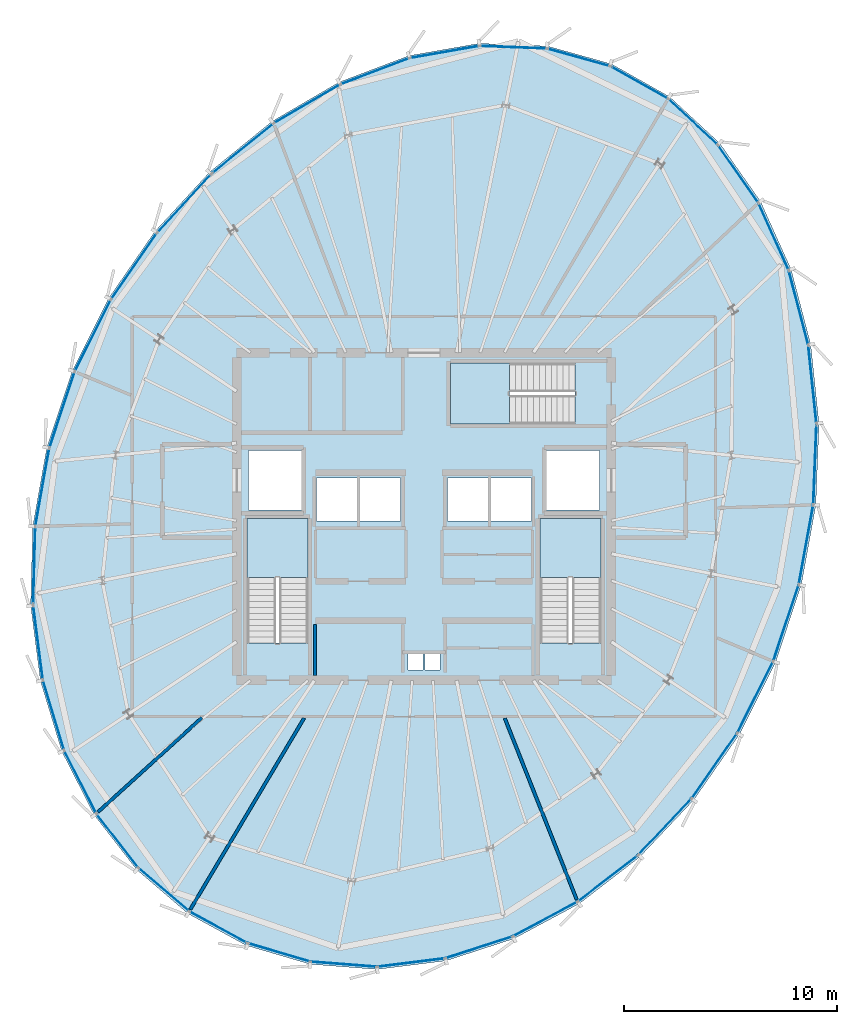
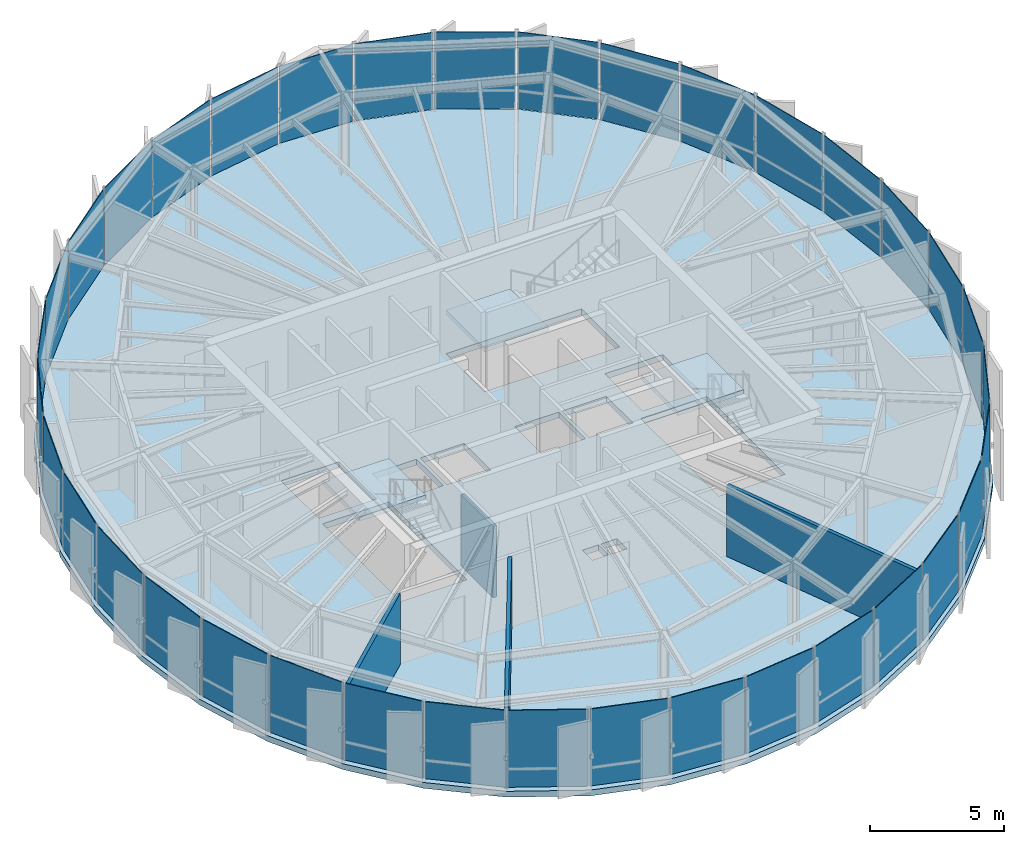
# One storey, part 19 of 25: 36 plates, 4 slabs, 4 walls, 9 elements without a shape of their own.
"""IFC4 building model written with IfcOpenShell, lengths in metres."""

from ifc_helpers import new_model, si_unit, direction, frame, frame_2d, origin, origin_2d, place, context, subcontext, project, spatial, polyline, rectangle, outline, extrude, source, transform, mapped, material, layer, layer_set, type_object, element, aggregate, save


model = new_model("IFC4")

# Units and contexts
model_context = context("Model", 3, precision=1e-05, world=origin(), true_north=direction((0.0, 1.0)))
body_context = subcontext(model_context, "Body", "Model", "MODEL_VIEW")
ifc_project = project(units=[si_unit("LENGTHUNIT", "METRE"), si_unit("AREAUNIT", "SQUARE_METRE"), si_unit("VOLUMEUNIT", "CUBIC_METRE"), si_unit("PLANEANGLEUNIT", "RADIAN"), si_unit("MASSUNIT", "GRAM", prefix="KILO"), si_unit("THERMODYNAMICTEMPERATUREUNIT", "KELVIN")], contexts=[model_context])

# Site, building, storey
site_placement = place(None, origin())
site = spatial("IfcSite", under=ifc_project, at=site_placement, CompositionType="ELEMENT")
building_placement = place(site_placement, origin())
building = spatial("IfcBuilding", under=site, at=building_placement, Name="Kethvar Cultural Tower", CompositionType="ELEMENT")
storey_placement = place(building_placement, frame((0.0, 0.0, 304.300048828125)))
storey = spatial("IfcBuildingStorey", under=building, at=storey_placement, Name="L81", CompositionType="ELEMENT", Elevation=304.300048828125)

# Slab
ifc_material_1 = material(Name="Concrete C45/55", Category="concrete")
ifc_layer_1 = layer(ifc_material_1, 0.264892578125, Name="Concrete C45/55", Category="concrete")
ifc_layer_set_1 = layer_set([ifc_layer_1], Name="Concrete C45/55 (265 mm)")
slab_type_1 = type_object("IfcSlabType", Name="SL-CRN-265", PredefinedType="FLOOR", material=ifc_layer_set_1)
slab_1_placement = place(storey_placement, frame((0.0, 0.0, -0.26513671875)))
element("IfcSlab", 1, at=slab_1_placement, inside=storey, type_object=slab_type_1, Name="L81 Structural Floor Slab", PredefinedType="FLOOR", context=body_context, shape_type="SweptSolid", body=[
    extrude(outline(polyline([(55.606689453125, 49.06103515625), (52.59375, 49.9013671875), (49.38671875, 50.0263671875), (46.08935546875, 49.44775390625), (42.811279296875, 48.20556640625), (39.662353515625, 46.36279296875), (36.747802734375, 43.998291015625), (34.162353515625, 41.198486328125), (31.98583984375, 38.05224609375), (30.279541015625, 34.64306640625), (29.0810546875, 31.03955078125), (28.4208984375, 27.337890625), (28.3193359375, 23.64990234375), (28.779052734375, 20.08837890625), (29.78662109375, 16.760986328125), (31.310791015625, 13.76904296875), (33.305908203125, 11.20361328125), (35.710693359375, 9.14208984375), (38.45263671875, 7.647705078125), (41.4482421875, 6.765625), (44.606201171875, 6.522705078125), (47.831298828125, 6.926025390625), (51.024658203125, 7.9638671875), (54.089599609375, 9.604248046875), (56.933349609375, 11.797607421875), (59.468994140625, 14.477294921875), (61.619873046875, 17.5615234375), (63.3203125, 20.95703125), (64.524658203125, 24.57421875), (65.21044921875, 28.338134765625), (65.36181640625, 32.14599609375), (64.972900390625, 35.87890625), (64.04931640625, 39.408447265625), (62.609619140625, 42.604736328125), (60.687255859375, 45.345458984375), (58.331298828125, 47.52490234375), (55.606689453125, 49.06103515625)]), holes=[polyline([(38.489990234375, 21.85009765625), (38.489990234375, 27.699951171875), (41.35009765625, 27.699951171875), (41.35009765625, 21.85009765625), (38.489990234375, 21.85009765625)]), polyline([(52.25, 21.85009765625), (52.25, 27.699951171875), (55.110107421875, 27.699951171875), (55.110107421875, 21.85009765625), (52.25, 21.85009765625)]), polyline([(53.89990234375, 32.14990234375), (48.050048828125, 32.14990234375), (48.050048828125, 35.010009765625), (53.89990234375, 35.010009765625), (53.89990234375, 32.14990234375)]), polyline([(41.75, 29.60009765625), (43.64990234375, 29.60009765625), (43.64990234375, 27.60009765625), (41.75, 27.60009765625), (41.75, 29.60009765625)]), polyline([(43.800048828125, 29.60009765625), (45.699951171875, 29.60009765625), (45.699951171875, 27.60009765625), (43.800048828125, 27.60009765625), (43.800048828125, 29.60009765625)]), polyline([(47.89990234375, 29.60009765625), (49.800048828125, 29.60009765625), (49.800048828125, 27.60009765625), (47.89990234375, 27.60009765625), (47.89990234375, 29.60009765625)]), polyline([(49.949951171875, 29.60009765625), (51.85009765625, 29.60009765625), (51.85009765625, 27.60009765625), (49.949951171875, 27.60009765625), (49.949951171875, 29.60009765625)]), polyline([(38.550048828125, 30.89990234375), (41.050048828125, 30.89990234375), (41.050048828125, 28.10009765625), (38.550048828125, 28.10009765625), (38.550048828125, 30.89990234375)]), polyline([(52.550048828125, 30.89990234375), (55.050048828125, 30.89990234375), (55.050048828125, 28.10009765625), (52.550048828125, 28.10009765625), (52.550048828125, 30.89990234375)]), polyline([(46.050048828125, 21.35009765625), (46.75, 21.35009765625), (46.75, 20.60009765625), (46.050048828125, 20.60009765625), (46.050048828125, 21.35009765625)]), polyline([(46.85009765625, 21.35009765625), (47.550048828125, 21.35009765625), (47.550048828125, 20.60009765625), (46.85009765625, 20.60009765625), (46.85009765625, 21.35009765625)])]), origin(), (0.0, 0.0, 1.0), 0.26513671875),
])

# Stair, slab
ifc_material_2 = material(Name="Concrete C40/50", Category="concrete")
stair_type = type_object("IfcStairType", Name="ST-DOGLEG-135", PredefinedType="HALF_TURN_STAIR", material=ifc_material_2)
stair_1_placement = place(storey_placement, origin())
stair_1 = element("IfcStair", 2, at=stair_1_placement, inside=storey, type_object=stair_type, Name="L81 Core Exit Stair 1", PredefinedType="HALF_TURN_STAIR")
ifc_layer_2 = layer(ifc_material_2, 0.199951171875, Name="Concrete C40/50", Category="concrete")
ifc_layer_set_2 = layer_set([ifc_layer_2], Name="Concrete C40/50 (200 mm)")
slab_type_2 = type_object("IfcSlabType", Name="SL-STAIR-LANDING-200", PredefinedType="LANDING", material=ifc_layer_set_2)
slab_2_placement = place(storey_placement, frame((0.0, 0.0, 1.800048828125)))
slab_2 = element("IfcSlab", 3, at=slab_2_placement, type_object=slab_type_2, Name="ST-01 landing 1", PredefinedType="LANDING", context=body_context, shape_type="SweptSolid", body=[
    extrude(outline(polyline([(41.35009765625, 24.929931640625), (41.35009765625, 27.699951171875), (38.489990234375, 27.699951171875), (38.489990234375, 24.929931640625), (41.35009765625, 24.929931640625)])), origin(), (0.0, 0.0, 1.0), 0.199951171875),
])
aggregate(stair_1, [slab_2])

stair_2_placement = place(storey_placement, origin())
stair_2 = element("IfcStair", 4, at=stair_2_placement, inside=storey, type_object=stair_type, Name="L81 Core Exit Stair 2", PredefinedType="HALF_TURN_STAIR")
slab_3_placement = place(storey_placement, frame((0.0, 0.0, 1.800048828125)))
slab_3 = element("IfcSlab", 5, at=slab_3_placement, type_object=slab_type_2, Name="ST-02 landing 1", PredefinedType="LANDING", context=body_context, shape_type="SweptSolid", body=[
    extrude(outline(polyline([(55.110107421875, 24.929931640625), (55.110107421875, 27.699951171875), (52.25, 27.699951171875), (52.25, 24.929931640625), (55.110107421875, 24.929931640625)])), origin(), (0.0, 0.0, 1.0), 0.199951171875),
])
aggregate(stair_2, [slab_3])

stair_3_placement = place(storey_placement, origin())
stair_3 = element("IfcStair", 6, at=stair_3_placement, inside=storey, type_object=stair_type, Name="L81 Core Exit Stair 3", PredefinedType="HALF_TURN_STAIR")
slab_4_placement = place(storey_placement, frame((0.0, 0.0, 1.800048828125)))
slab_4 = element("IfcSlab", 7, at=slab_4_placement, type_object=slab_type_2, Name="ST-03 landing 1", PredefinedType="LANDING", context=body_context, shape_type="SweptSolid", body=[
    extrude(outline(polyline([(50.820068359375, 35.010009765625), (48.050048828125, 35.010009765625), (48.050048828125, 32.14990234375), (50.820068359375, 32.14990234375), (50.820068359375, 35.010009765625)])), origin(), (0.0, 0.0, 1.0), 0.199951171875),
])
aggregate(stair_3, [slab_4])

# Curtain wall, plate
ifc_material_3 = material(Name="Aluminium 6063-T6", Category="aluminium")
ifc_layer_3 = layer(ifc_material_3, 0.179931640625, Name="Aluminium 6063-T6", Category="aluminium")
ifc_layer_set_3 = layer_set([ifc_layer_3], Name="Aluminium 6063-T6 (180 mm)")
curtain_wall_type = type_object("IfcCurtainWallType", Name="CW-SYS-06-CROWN", PredefinedType="NOTDEFINED", material=ifc_layer_set_3)
curtain_wall_1_placement = place(storey_placement, origin())
curtain_wall_1 = element("IfcCurtainWall", 8, at=curtain_wall_1_placement, inside=storey, type_object=curtain_wall_type, Name="L81 Curtain Wall Run 01", PredefinedType="NOTDEFINED")
ifc_material_4 = material(Name="Insulated Low-E Solar Glass", Category="glass")
ifc_layer_4 = layer(ifc_material_4, 0.033935546875, Name="Insulated Low-E Solar Glass", Category="glass")
ifc_layer_set_4 = layer_set([ifc_layer_4], Name="Insulated Low-E Solar Glass (34 mm)")
plate_type = type_object("IfcPlateType", Name="CW-SYS-06-CROWN-PNL", PredefinedType="CURTAIN_PANEL", material=ifc_layer_set_4)
shared_shape_1 = source(origin(), body_context, "Body", "SweptSolid", [
    extrude(rectangle(XDim=3.0341796875, YDim=0.033935546875, at=origin_2d()), origin(), (0.0, 0.0, 1.0), 3.514892578125),
])
plate_1_placement = place(storey_placement, frame((54.06787109375, 49.365478515625, 0.10986328125), z_axis=(0.0, 0.0, 1.0), x_axis=(-0.963228247552, 0.268684467577, 0.0)))
plate_1 = element("IfcPlate", 9, at=plate_1_placement, type_object=plate_type, Name="CW-L81-R01 Vision Glazing Panel 1", PredefinedType="CURTAIN_PANEL", context=body_context, shape_type="MappedRepresentation", body=[
    mapped(shared_shape_1, transform((0.0, 0.0, 0.0), scale=1.0)),
])

curtain_wall_2_placement = place(storey_placement, origin())
curtain_wall_2 = element("IfcCurtainWall", 10, at=curtain_wall_2_placement, inside=storey, type_object=curtain_wall_type, Name="L81 Curtain Wall Run 06", PredefinedType="NOTDEFINED")
plate_2_placement = place(storey_placement, frame((56.909912109375, 48.1884765625, 0.10986328125), z_axis=(0.0, 0.0, 1.0), x_axis=(-0.871093834698, 0.491116616651, 0.0)))
plate_2 = element("IfcPlate", 11, at=plate_2_placement, type_object=plate_type, Name="CW-L81-R06 Vision Glazing Panel 6", PredefinedType="CURTAIN_PANEL", context=body_context, shape_type="MappedRepresentation", body=[
    mapped(shared_shape_1, transform((0.0, 0.0, 0.0), scale=1.0)),
])

# Plate
shared_shape_2 = source(origin(), body_context, "Body", "SweptSolid", [
    extrude(rectangle(XDim=3.115966796875, YDim=0.033935546875, at=origin_2d()), origin(), (0.0, 0.0, 1.0), 3.514892578125),
])
plate_3_placement = place(storey_placement, frame((50.985595703125, 49.843994140625, 0.10986328125), z_axis=(0.0, 0.0, 1.0), x_axis=(-0.999241320765, 0.038945896767, 0.0)))
plate_3 = element("IfcPlate", 12, at=plate_3_placement, type_object=plate_type, Name="CW-L81-R01 Vision Glazing Panel 2", PredefinedType="CURTAIN_PANEL", context=body_context, shape_type="MappedRepresentation", body=[
    mapped(shared_shape_2, transform((0.0, 0.0, 0.0), scale=1.0)),
])

plate_4_placement = place(storey_placement, frame((59.427734375, 46.34716796875, 0.10986328125), z_axis=(0.0, 0.0, 1.0), x_axis=(-0.734097370213, 0.679044218771, 0.0)))
plate_4 = element("IfcPlate", 13, at=plate_4_placement, type_object=plate_type, Name="CW-L81-R06 Vision Glazing Panel 5", PredefinedType="CURTAIN_PANEL", context=body_context, shape_type="MappedRepresentation", body=[
    mapped(shared_shape_2, transform((0.0, 0.0, 0.0), scale=1.0)),
])

shared_shape_3 = source(origin(), body_context, "Body", "SweptSolid", [
    extrude(rectangle(XDim=3.254150390625, YDim=0.033935546875, at=origin_2d()), origin(), (0.0, 0.0, 1.0), 3.514892578125),
])
plate_5_placement = place(storey_placement, frame((47.7587890625, 49.618896484375, 0.10986328125), z_axis=(0.0, 0.0, 1.0), x_axis=(-0.984946849301, -0.172857467449, 0.0)))
plate_5 = element("IfcPlate", 14, at=plate_5_placement, type_object=plate_type, Name="CW-L81-R01 Vision Glazing Panel 3", PredefinedType="CURTAIN_PANEL", context=body_context, shape_type="MappedRepresentation", body=[
    mapped(shared_shape_3, transform((0.0, 0.0, 0.0), scale=1.0)),
])

plate_6_placement = place(storey_placement, frame((61.55029296875, 43.90625, 0.10986328125), z_axis=(0.0, 0.0, 1.0), x_axis=(-0.574233908837, 0.818691283661, 0.0)))
plate_6 = element("IfcPlate", 15, at=plate_6_placement, type_object=plate_type, Name="CW-L81-R06 Vision Glazing Panel 4", PredefinedType="CURTAIN_PANEL", context=body_context, shape_type="MappedRepresentation", body=[
    mapped(shared_shape_3, transform((0.0, 0.0, 0.0), scale=1.0)),
])

shared_shape_4 = source(origin(), body_context, "Body", "SweptSolid", [
    extrude(rectangle(XDim=3.412109375, YDim=0.033935546875, at=origin_2d()), origin(), (0.0, 0.0, 1.0), 3.514892578125),
])
plate_7_placement = place(storey_placement, frame((44.492919921875, 48.71435546875, 0.10986328125), z_axis=(0.0, 0.0, 1.0), x_axis=(-0.935116657769, -0.354340001077, 0.0)))
plate_7 = element("IfcPlate", 16, at=plate_7_placement, type_object=plate_type, Name="CW-L81-R01 Vision Glazing Panel 4", PredefinedType="CURTAIN_PANEL", context=body_context, shape_type="MappedRepresentation", body=[
    mapped(shared_shape_4, transform((0.0, 0.0, 0.0), scale=1.0)),
])

shared_shape_5 = source(origin(), body_context, "Body", "SweptSolid", [
    extrude(rectangle(XDim=3.5546875, YDim=0.033935546875, at=origin_2d()), origin(), (0.0, 0.0, 1.0), 3.514892578125),
])
plate_8_placement = place(storey_placement, frame((41.29736328125, 47.1806640625, 0.10986328125), z_axis=(0.0, 0.0, 1.0), x_axis=(-0.863087191148, -0.505054947977, 0.0)))
plate_8 = element("IfcPlate", 17, at=plate_8_placement, type_object=plate_type, Name="CW-L81-R01 Vision Glazing Panel 5", PredefinedType="CURTAIN_PANEL", context=body_context, shape_type="MappedRepresentation", body=[
    mapped(shared_shape_5, transform((0.0, 0.0, 0.0), scale=1.0)),
])

plate_9_placement = place(storey_placement, frame((64.395263671875, 37.61328125, 0.10986328125), z_axis=(0.0, 0.0, 1.0), x_axis=(-0.253150142282, 0.967427002653, 0.0)))
plate_9 = element("IfcPlate", 18, at=plate_9_placement, type_object=plate_type, Name="CW-L81-R06 Vision Glazing Panel 2", PredefinedType="CURTAIN_PANEL", context=body_context, shape_type="MappedRepresentation", body=[
    mapped(shared_shape_5, transform((0.0, 0.0, 0.0), scale=1.0)),
])

shared_shape_6 = source(origin(), body_context, "Body", "SweptSolid", [
    extrude(rectangle(XDim=3.65966796875, YDim=0.033935546875, at=origin_2d()), origin(), (0.0, 0.0, 1.0), 3.514892578125),
])
plate_10_placement = place(storey_placement, frame((38.28076171875, 45.08740234375, 0.10986328125), z_axis=(0.0, 0.0, 1.0), x_axis=(-0.776574488404, -0.630025447073, 0.0)))
plate_10 = element("IfcPlate", 19, at=plate_10_placement, type_object=plate_type, Name="CW-L81-R01 Vision Glazing Panel 6", PredefinedType="CURTAIN_PANEL", context=body_context, shape_type="MappedRepresentation", body=[
    mapped(shared_shape_6, transform((0.0, 0.0, 0.0), scale=1.0)),
])

aggregate(curtain_wall_1, [plate_1, plate_3, plate_5, plate_7, plate_8, plate_10])

# Curtain wall, plate
curtain_wall_3_placement = place(storey_placement, origin())
curtain_wall_3 = element("IfcCurtainWall", 20, at=curtain_wall_3_placement, inside=storey, type_object=curtain_wall_type, Name="L81 Curtain Wall Run 02", PredefinedType="NOTDEFINED")
shared_shape_7 = source(origin(), body_context, "Body", "SweptSolid", [
    extrude(rectangle(XDim=3.71728515625, YDim=0.033935546875, at=origin_2d()), origin(), (0.0, 0.0, 1.0), 3.514892578125),
])
plate_11_placement = place(storey_placement, frame((35.543212890625, 42.51708984375, 0.10986328125), z_axis=(0.0, 0.0, 1.0), x_axis=(-0.678441806816, -0.73465414636, 0.0)))
plate_11 = element("IfcPlate", 21, at=plate_11_placement, type_object=plate_type, Name="CW-L81-R02 Vision Glazing Panel 1", PredefinedType="CURTAIN_PANEL", context=body_context, shape_type="MappedRepresentation", body=[
    mapped(shared_shape_7, transform((0.0, 0.0, 0.0), scale=1.0)),
])

curtain_wall_4_placement = place(storey_placement, origin())
curtain_wall_4 = element("IfcCurtainWall", 22, at=curtain_wall_4_placement, inside=storey, type_object=curtain_wall_type, Name="L81 Curtain Wall Run 05", PredefinedType="NOTDEFINED")
plate_12_placement = place(storey_placement, frame((65.166259765625, 30.246826171875, 0.10986328125), z_axis=(0.0, 0.0, 1.0), x_axis=(0.039748126478, 0.999209730958, 0.0)))
plate_12 = element("IfcPlate", 23, at=plate_12_placement, type_object=plate_type, Name="CW-L81-R05 Vision Glazing Panel 6", PredefinedType="CURTAIN_PANEL", context=body_context, shape_type="MappedRepresentation", body=[
    mapped(shared_shape_7, transform((0.0, 0.0, 0.0), scale=1.0)),
])

# Plate
shared_shape_8 = source(origin(), body_context, "Body", "SweptSolid", [
    extrude(rectangle(XDim=3.732177734375, YDim=0.033935546875, at=origin_2d()), origin(), (0.0, 0.0, 1.0), 3.514892578125),
])
plate_13_placement = place(storey_placement, frame((33.1728515625, 39.55712890625, 0.10986328125), z_axis=(0.0, 0.0, 1.0), x_axis=(-0.568892033984, -0.822412216391, 0.0)))
plate_13 = element("IfcPlate", 24, at=plate_13_placement, type_object=plate_type, Name="CW-L81-R02 Vision Glazing Panel 2", PredefinedType="CURTAIN_PANEL", context=body_context, shape_type="MappedRepresentation", body=[
    mapped(shared_shape_8, transform((0.0, 0.0, 0.0), scale=1.0)),
])

plate_14_placement = place(storey_placement, frame((64.74951171875, 26.477783203125, 0.10986328125), z_axis=(0.0, 0.0, 1.0), x_axis=(0.179265840147, 0.983800670134, 0.0)))
plate_14 = element("IfcPlate", 25, at=plate_14_placement, type_object=plate_type, Name="CW-L81-R05 Vision Glazing Panel 5", PredefinedType="CURTAIN_PANEL", context=body_context, shape_type="MappedRepresentation", body=[
    mapped(shared_shape_8, transform((0.0, 0.0, 0.0), scale=1.0)),
])

shared_shape_9 = source(origin(), body_context, "Body", "SweptSolid", [
    extrude(rectangle(XDim=3.71875, YDim=0.033935546875, at=origin_2d()), origin(), (0.0, 0.0, 1.0), 3.514892578125),
])
plate_15_placement = place(storey_placement, frame((31.239990234375, 36.2939453125, 0.10986328125), z_axis=(0.0, 0.0, 1.0), x_axis=(-0.447556199154, -0.894255807137, 0.0)))
plate_15 = element("IfcPlate", 26, at=plate_15_placement, type_object=plate_type, Name="CW-L81-R02 Vision Glazing Panel 3", PredefinedType="CURTAIN_PANEL", context=body_context, shape_type="MappedRepresentation", body=[
    mapped(shared_shape_9, transform((0.0, 0.0, 0.0), scale=1.0)),
])

shared_shape_10 = source(origin(), body_context, "Body", "SweptSolid", [
    extrude(rectangle(XDim=3.703857421875, YDim=0.033935546875, at=origin_2d()), origin(), (0.0, 0.0, 1.0), 3.514892578125),
])
plate_16_placement = place(storey_placement, frame((29.794189453125, 32.803466796875, 0.10986328125), z_axis=(0.0, 0.0, 1.0), x_axis=(-0.315599353483, -0.948892537689, 0.0)))
plate_16 = element("IfcPlate", 27, at=plate_16_placement, type_object=plate_type, Name="CW-L81-R02 Vision Glazing Panel 4", PredefinedType="CURTAIN_PANEL", context=body_context, shape_type="MappedRepresentation", body=[
    mapped(shared_shape_10, transform((0.0, 0.0, 0.0), scale=1.0)),
])

plate_17_placement = place(storey_placement, frame((62.36279296875, 19.31298828125, 0.10986328125), z_axis=(0.0, 0.0, 1.0), x_axis=(0.447805905031, 0.894130791003, 0.0)))
plate_17 = element("IfcPlate", 28, at=plate_17_placement, type_object=plate_type, Name="CW-L81-R05 Vision Glazing Panel 3", PredefinedType="CURTAIN_PANEL", context=body_context, shape_type="MappedRepresentation", body=[
    mapped(shared_shape_10, transform((0.0, 0.0, 0.0), scale=1.0)),
])

shared_shape_11 = source(origin(), body_context, "Body", "SweptSolid", [
    extrude(rectangle(XDim=3.66650390625, YDim=0.033935546875, at=origin_2d()), origin(), (0.0, 0.0, 1.0), 3.514892578125),
])
plate_18_placement = place(storey_placement, frame((28.869140625, 29.167724609375, 0.10986328125), z_axis=(0.0, 0.0, 1.0), x_axis=(-0.175555733901, -0.984469493836, 0.0)))
plate_18 = element("IfcPlate", 29, at=plate_18_placement, type_object=plate_type, Name="CW-L81-R02 Vision Glazing Panel 5", PredefinedType="CURTAIN_PANEL", context=body_context, shape_type="MappedRepresentation", body=[
    mapped(shared_shape_11, transform((0.0, 0.0, 0.0), scale=1.0)),
])

shared_shape_12 = source(origin(), body_context, "Body", "SweptSolid", [
    extrude(rectangle(XDim=3.595703125, YDim=0.033935546875, at=origin_2d()), origin(), (0.0, 0.0, 1.0), 3.514892578125),
])
plate_19_placement = place(storey_placement, frame((28.489990234375, 25.490478515625, 0.10986328125), z_axis=(0.0, 0.0, 1.0), x_axis=(-0.027572707275, -0.999619800631, 0.0)))
plate_19 = element("IfcPlate", 30, at=plate_19_placement, type_object=plate_type, Name="CW-L81-R02 Vision Glazing Panel 6", PredefinedType="CURTAIN_PANEL", context=body_context, shape_type="MappedRepresentation", body=[
    mapped(shared_shape_12, transform((0.0, 0.0, 0.0), scale=1.0)),
])

aggregate(curtain_wall_3, [plate_11, plate_13, plate_15, plate_16, plate_18, plate_19])

# Curtain wall, plates
curtain_wall_5_placement = place(storey_placement, origin())
curtain_wall_5 = element("IfcCurtainWall", 31, at=curtain_wall_5_placement, inside=storey, type_object=curtain_wall_type, Name="L81 Curtain Wall Run 03", PredefinedType="NOTDEFINED")
shared_shape_13 = source(origin(), body_context, "Body", "SweptSolid", [
    extrude(rectangle(XDim=3.49755859375, YDim=0.033935546875, at=origin_2d()), origin(), (0.0, 0.0, 1.0), 3.514892578125),
])
plate_20_placement = place(storey_placement, frame((28.668212890625, 21.884521484375, 0.10986328125), z_axis=(0.0, 0.0, 1.0), x_axis=(0.128034009892, -0.991769777877, 0.0)))
plate_20 = element("IfcPlate", 32, at=plate_20_placement, type_object=plate_type, Name="CW-L81-R03 Vision Glazing Panel 1", PredefinedType="CURTAIN_PANEL", context=body_context, shape_type="MappedRepresentation", body=[
    mapped(shared_shape_13, transform((0.0, 0.0, 0.0), scale=1.0)),
])
shared_shape_14 = source(origin(), body_context, "Body", "SweptSolid", [
    extrude(rectangle(XDim=3.3828125, YDim=0.033935546875, at=origin_2d()), origin(), (0.0, 0.0, 1.0), 3.514892578125),
])
plate_21_placement = place(storey_placement, frame((29.397705078125, 18.45947265625, 0.10986328125), z_axis=(0.0, 0.0, 1.0), x_axis=(0.289766880243, -0.957097254783, 0.0)))
plate_21 = element("IfcPlate", 33, at=plate_21_placement, type_object=plate_type, Name="CW-L81-R03 Vision Glazing Panel 2", PredefinedType="CURTAIN_PANEL", context=body_context, shape_type="MappedRepresentation", body=[
    mapped(shared_shape_14, transform((0.0, 0.0, 0.0), scale=1.0)),
])

# Curtain wall, plate
curtain_wall_6_placement = place(storey_placement, origin())
curtain_wall_6 = element("IfcCurtainWall", 34, at=curtain_wall_6_placement, inside=storey, type_object=curtain_wall_type, Name="L81 Curtain Wall Run 04", PredefinedType="NOTDEFINED")
plate_22_placement = place(storey_placement, frame((52.50048828125, 8.889892578125, 0.10986328125), z_axis=(0.0, 0.0, 1.0), x_axis=(0.881674320714, 0.471858445081, 0.0)))
plate_22 = element("IfcPlate", 35, at=plate_22_placement, type_object=plate_type, Name="CW-L81-R04 Vision Glazing Panel 5", PredefinedType="CURTAIN_PANEL", context=body_context, shape_type="MappedRepresentation", body=[
    mapped(shared_shape_14, transform((0.0, 0.0, 0.0), scale=1.0)),
])

# Plate
shared_shape_15 = source(origin(), body_context, "Body", "SweptSolid", [
    extrude(rectangle(XDim=3.26416015625, YDim=0.033935546875, at=origin_2d()), origin(), (0.0, 0.0, 1.0), 3.514892578125),
])
plate_23_placement = place(storey_placement, frame((30.655517578125, 15.319580078125, 0.10986328125), z_axis=(0.0, 0.0, 1.0), x_axis=(0.453959397468, -0.891022370904, 0.0)))
plate_23 = element("IfcPlate", 36, at=plate_23_placement, type_object=plate_type, Name="CW-L81-R03 Vision Glazing Panel 3", PredefinedType="CURTAIN_PANEL", context=body_context, shape_type="MappedRepresentation", body=[
    mapped(shared_shape_15, transform((0.0, 0.0, 0.0), scale=1.0)),
])

plate_24_placement = place(storey_placement, frame((49.390869140625, 7.55908203125, 0.10986328125), z_axis=(0.0, 0.0, 1.0), x_axis=(0.951040334899, 0.309066791154, 0.0)))
plate_24 = element("IfcPlate", 37, at=plate_24_placement, type_object=plate_type, Name="CW-L81-R04 Vision Glazing Panel 4", PredefinedType="CURTAIN_PANEL", context=body_context, shape_type="MappedRepresentation", body=[
    mapped(shared_shape_15, transform((0.0, 0.0, 0.0), scale=1.0)),
])

shared_shape_16 = source(origin(), body_context, "Body", "SweptSolid", [
    extrude(rectangle(XDim=3.15625, YDim=0.033935546875, at=origin_2d()), origin(), (0.0, 0.0, 1.0), 3.514892578125),
])
plate_25_placement = place(storey_placement, frame((32.403076171875, 12.56005859375, 0.10986328125), z_axis=(0.0, 0.0, 1.0), x_axis=(0.613844396624, -0.789427043325, 0.0)))
plate_25 = element("IfcPlate", 38, at=plate_25_placement, type_object=plate_type, Name="CW-L81-R03 Vision Glazing Panel 4", PredefinedType="CURTAIN_PANEL", context=body_context, shape_type="MappedRepresentation", body=[
    mapped(shared_shape_16, transform((0.0, 0.0, 0.0), scale=1.0)),
])

shared_shape_17 = source(origin(), body_context, "Body", "SweptSolid", [
    extrude(rectangle(XDim=3.073974609375, YDim=0.033935546875, at=origin_2d()), origin(), (0.0, 0.0, 1.0), 3.514892578125),
])
plate_26_placement = place(storey_placement, frame((34.58642578125, 10.263916015625, 0.10986328125), z_axis=(0.0, 0.0, 1.0), x_axis=(0.759248590567, -0.650800720438, 0.0)))
plate_26 = element("IfcPlate", 39, at=plate_26_placement, type_object=plate_type, Name="CW-L81-R03 Vision Glazing Panel 5", PredefinedType="CURTAIN_PANEL", context=body_context, shape_type="MappedRepresentation", body=[
    mapped(shared_shape_17, transform((0.0, 0.0, 0.0), scale=1.0)),
])

shared_shape_18 = source(origin(), body_context, "Body", "SweptSolid", [
    extrude(rectangle(XDim=3.029052734375, YDim=0.033935546875, at=origin_2d()), origin(), (0.0, 0.0, 1.0), 3.514892578125),
])
plate_27_placement = place(storey_placement, frame((37.138916015625, 8.500244140625, 0.10986328125), z_axis=(0.0, 0.0, 1.0), x_axis=(0.878058157337, -0.478553938792, 0.0)))
plate_27 = element("IfcPlate", 40, at=plate_27_placement, type_object=plate_type, Name="CW-L81-R03 Vision Glazing Panel 6", PredefinedType="CURTAIN_PANEL", context=body_context, shape_type="MappedRepresentation", body=[
    mapped(shared_shape_18, transform((0.0, 0.0, 0.0), scale=1.0)),
])

aggregate(curtain_wall_5, [plate_20, plate_21, plate_23, plate_25, plate_26, plate_27])

shared_shape_19 = source(origin(), body_context, "Body", "SweptSolid", [
    extrude(rectangle(XDim=3.029296875, YDim=0.033935546875, at=origin_2d()), origin(), (0.0, 0.0, 1.0), 3.514892578125),
])
plate_28_placement = place(storey_placement, frame((39.984375, 7.32177734375, 0.10986328125), z_axis=(0.0, 0.0, 1.0), x_axis=(0.959274542885, -0.28247539959, 0.0)))
plate_28 = element("IfcPlate", 41, at=plate_28_placement, type_object=plate_type, Name="CW-L81-R04 Vision Glazing Panel 1", PredefinedType="CURTAIN_PANEL", context=body_context, shape_type="MappedRepresentation", body=[
    mapped(shared_shape_19, transform((0.0, 0.0, 0.0), scale=1.0)),
])

shared_shape_20 = source(origin(), body_context, "Body", "SweptSolid", [
    extrude(rectangle(XDim=3.07373046875, YDim=0.033935546875, at=origin_2d()), origin(), (0.0, 0.0, 1.0), 3.514892578125),
])
plate_29_placement = place(storey_placement, frame((43.03662109375, 6.763671875, 0.10986328125), z_axis=(0.0, 0.0, 1.0), x_axis=(0.997052752227, -0.076719028127, 0.0)))
plate_29 = element("IfcPlate", 42, at=plate_29_placement, type_object=plate_type, Name="CW-L81-R04 Vision Glazing Panel 2", PredefinedType="CURTAIN_PANEL", context=body_context, shape_type="MappedRepresentation", body=[
    mapped(shared_shape_20, transform((0.0, 0.0, 0.0), scale=1.0)),
])

shared_shape_21 = source(origin(), body_context, "Body", "SweptSolid", [
    extrude(rectangle(XDim=3.156494140625, YDim=0.033935546875, at=origin_2d()), origin(), (0.0, 0.0, 1.0), 3.514892578125),
])
plate_30_placement = place(storey_placement, frame((46.203857421875, 6.843505859375, 0.10986328125), z_axis=(0.0, 0.0, 1.0), x_axis=(0.992262751034, 0.124155680141, 0.0)))
plate_30 = element("IfcPlate", 43, at=plate_30_placement, type_object=plate_type, Name="CW-L81-R04 Vision Glazing Panel 3", PredefinedType="CURTAIN_PANEL", context=body_context, shape_type="MappedRepresentation", body=[
    mapped(shared_shape_21, transform((0.0, 0.0, 0.0), scale=1.0)),
])

shared_shape_22 = source(origin(), body_context, "Body", "SweptSolid", [
    extrude(rectangle(XDim=3.497802734375, YDim=0.033935546875, at=origin_2d()), origin(), (0.0, 0.0, 1.0), 3.514892578125),
])
plate_31_placement = place(storey_placement, frame((55.438232421875, 10.7958984375, 0.10986328125), z_axis=(0.0, 0.0, 1.0), x_axis=(0.79182085193, 0.610753418696, 0.0)))
plate_31 = element("IfcPlate", 44, at=plate_31_placement, type_object=plate_type, Name="CW-L81-R04 Vision Glazing Panel 6", PredefinedType="CURTAIN_PANEL", context=body_context, shape_type="MappedRepresentation", body=[
    mapped(shared_shape_22, transform((0.0, 0.0, 0.0), scale=1.0)),
])

aggregate(curtain_wall_6, [plate_28, plate_29, plate_30, plate_24, plate_22, plate_31])

shared_shape_23 = source(origin(), body_context, "Body", "SweptSolid", [
    extrude(rectangle(XDim=3.595458984375, YDim=0.033935546875, at=origin_2d()), origin(), (0.0, 0.0, 1.0), 3.514892578125),
])
plate_32_placement = place(storey_placement, frame((58.114013671875, 13.219970703125, 0.10986328125), z_axis=(0.0, 0.0, 1.0), x_axis=(0.687353768174, 0.726322791448, 0.0)))
plate_32 = element("IfcPlate", 45, at=plate_32_placement, type_object=plate_type, Name="CW-L81-R05 Vision Glazing Panel 1", PredefinedType="CURTAIN_PANEL", context=body_context, shape_type="MappedRepresentation", body=[
    mapped(shared_shape_23, transform((0.0, 0.0, 0.0), scale=1.0)),
])

shared_shape_24 = source(origin(), body_context, "Body", "SweptSolid", [
    extrude(rectangle(XDim=3.666748046875, YDim=0.033935546875, at=origin_2d()), origin(), (0.0, 0.0, 1.0), 3.514892578125),
])
plate_33_placement = place(storey_placement, frame((60.446044921875, 16.087890625, 0.10986328125), z_axis=(0.0, 0.0, 1.0), x_axis=(0.571988405046, 0.82026170488, 0.0)))
plate_33 = element("IfcPlate", 46, at=plate_33_placement, type_object=plate_type, Name="CW-L81-R05 Vision Glazing Panel 2", PredefinedType="CURTAIN_PANEL", context=body_context, shape_type="MappedRepresentation", body=[
    mapped(shared_shape_24, transform((0.0, 0.0, 0.0), scale=1.0)),
])

shared_shape_25 = source(origin(), body_context, "Body", "SweptSolid", [
    extrude(rectangle(XDim=3.718994140625, YDim=0.033935546875, at=origin_2d()), origin(), (0.0, 0.0, 1.0), 3.514892578125),
])
plate_34_placement = place(storey_placement, frame((63.80859375, 22.8037109375, 0.10986328125), z_axis=(0.0, 0.0, 1.0), x_axis=(0.315864321958, 0.948804368726, 0.0)))
plate_34 = element("IfcPlate", 47, at=plate_34_placement, type_object=plate_type, Name="CW-L81-R05 Vision Glazing Panel 4", PredefinedType="CURTAIN_PANEL", context=body_context, shape_type="MappedRepresentation", body=[
    mapped(shared_shape_25, transform((0.0, 0.0, 0.0), scale=1.0)),
])

aggregate(curtain_wall_4, [plate_32, plate_33, plate_17, plate_34, plate_14, plate_12])

shared_shape_26 = source(origin(), body_context, "Body", "SweptSolid", [
    extrude(rectangle(XDim=3.659423828125, YDim=0.033935546875, at=origin_2d()), origin(), (0.0, 0.0, 1.0), 3.514892578125),
])
plate_35_placement = place(storey_placement, frame((65.048095703125, 34.0, 0.10986328125), z_axis=(0.0, 0.0, 1.0), x_axis=(-0.103625820901, 0.994616352793, 0.0)))
plate_35 = element("IfcPlate", 48, at=plate_35_placement, type_object=plate_type, Name="CW-L81-R06 Vision Glazing Panel 1", PredefinedType="CURTAIN_PANEL", context=body_context, shape_type="MappedRepresentation", body=[
    mapped(shared_shape_26, transform((0.0, 0.0, 0.0), scale=1.0)),
])

shared_shape_27 = source(origin(), body_context, "Body", "SweptSolid", [
    extrude(rectangle(XDim=3.411865234375, YDim=0.033935546875, at=origin_2d()), origin(), (0.0, 0.0, 1.0), 3.514892578125),
])
plate_36_placement = place(storey_placement, frame((63.22021484375, 40.957275390625, 0.10986328125), z_axis=(0.0, 0.0, 1.0), x_axis=(-0.410687025864, 0.911776379814, 0.0)))
plate_36 = element("IfcPlate", 49, at=plate_36_placement, type_object=plate_type, Name="CW-L81-R06 Vision Glazing Panel 3", PredefinedType="CURTAIN_PANEL", context=body_context, shape_type="MappedRepresentation", body=[
    mapped(shared_shape_27, transform((0.0, 0.0, 0.0), scale=1.0)),
])

aggregate(curtain_wall_2, [plate_35, plate_9, plate_36, plate_6, plate_4, plate_2])

# Walls
ifc_material_5 = material(Name="Gypsum Fireboard Partition")
ifc_layer_5 = layer(ifc_material_5, 0.14990234375, Name="Gypsum Fireboard Partition")
ifc_layer_set_5 = layer_set([ifc_layer_5], Name="Gypsum Fireboard Partition (150 mm)")
wall_type = type_object("IfcWallType", Name="WL-FIRE-150", PredefinedType="PARTITIONING", material=ifc_layer_set_5)
wall_1_placement = place(storey_placement, frame((41.679931640625, 20.3349609375, 0.0), z_axis=(0.0, 0.0, 1.0), x_axis=(0.0, 1.0, 0.0)))
element("IfcWall", 50, at=wall_1_placement, inside=storey, type_object=wall_type, Name="L81 Reclaimed West Outer Wall", PredefinedType="PARTITIONING", context=body_context, shape_type="SweptSolid", body=[
    extrude(rectangle(XDim=2.39501953125, YDim=0.14990234375, at=frame_2d((1.197509765625, 0.0))), origin(), (0.0, 0.0, 1.0), 3.260009765625),
])
wall_2_placement = place(storey_placement, frame((36.36376953125, 18.34619140625, 0.0), z_axis=(0.0, 0.0, 1.0), x_axis=(-0.74023680204, -0.672346247781, 0.0)))
element("IfcWall", 51, at=wall_2_placement, inside=storey, type_object=wall_type, Name="L81 Radial Partition Wall 02", PredefinedType="PARTITIONING", context=body_context, shape_type="SweptSolid", body=[
    extrude(rectangle(XDim=6.588134765625, YDim=0.14990234375, at=frame_2d((3.2939453125, 0.0))), origin(), (0.0, 0.0, 1.0), 3.260009765625),
])
wall_3_placement = place(storey_placement, frame((41.172119140625, 18.331298828125, 0.0), z_axis=(0.0, 0.0, 1.0), x_axis=(-0.511265536161, -0.859422801381, 0.0)))
element("IfcWall", 52, at=wall_3_placement, inside=storey, type_object=wall_type, Name="L81 Radial Partition Wall 03", PredefinedType="PARTITIONING", context=body_context, shape_type="SweptSolid", body=[
    extrude(rectangle(XDim=10.459716796875, YDim=0.14990234375, at=frame_2d((5.22998046875, 0.0))), origin(), (0.0, 0.0, 1.0), 3.260009765625),
])
wall_4_placement = place(storey_placement, frame((50.595458984375, 18.32568359375, 0.0), z_axis=(0.0, 0.0, 1.0), x_axis=(0.368634843387, -0.929574285488, 0.0)))
element("IfcWall", 53, at=wall_4_placement, inside=storey, type_object=wall_type, Name="L81 Radial Partition Wall 04", PredefinedType="PARTITIONING", context=body_context, shape_type="SweptSolid", body=[
    extrude(rectangle(XDim=9.169921875, YDim=0.14990234375, at=frame_2d((4.5849609375, 0.0))), origin(), (0.0, 0.0, 1.0), 3.260009765625),
])

save(model, "model.ifc")
